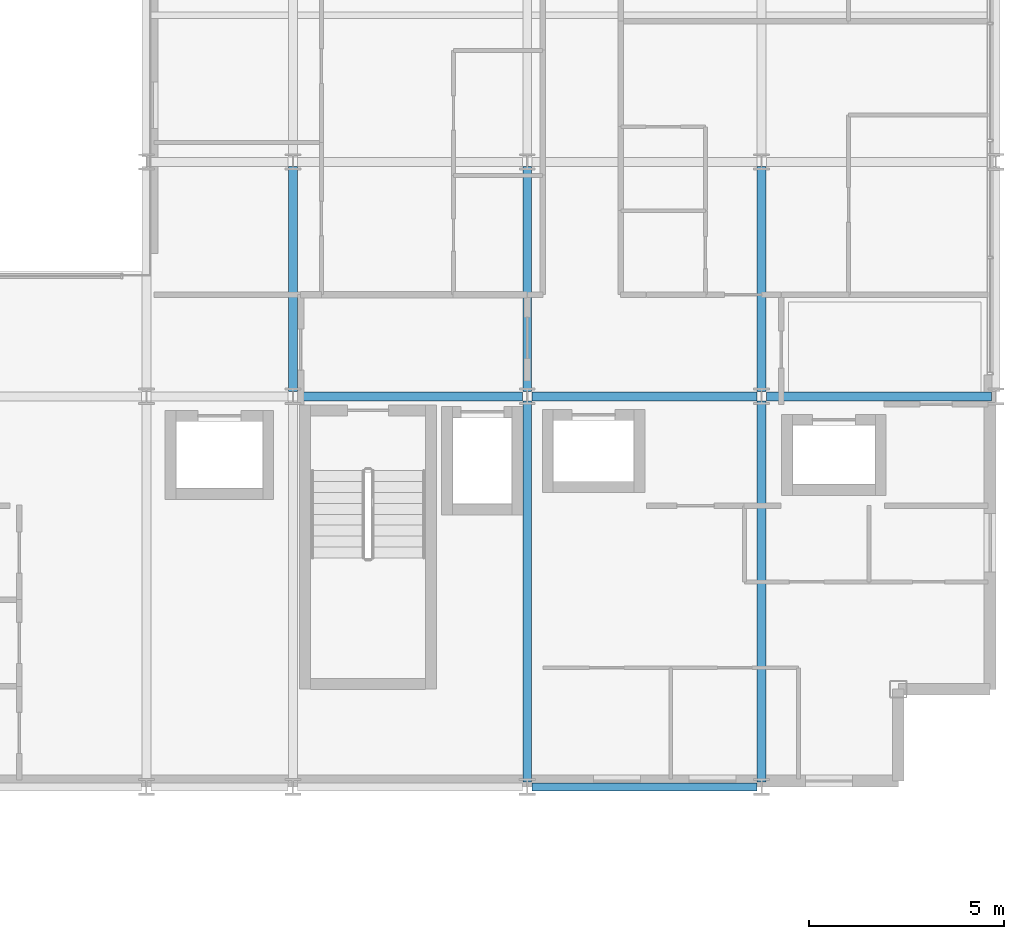
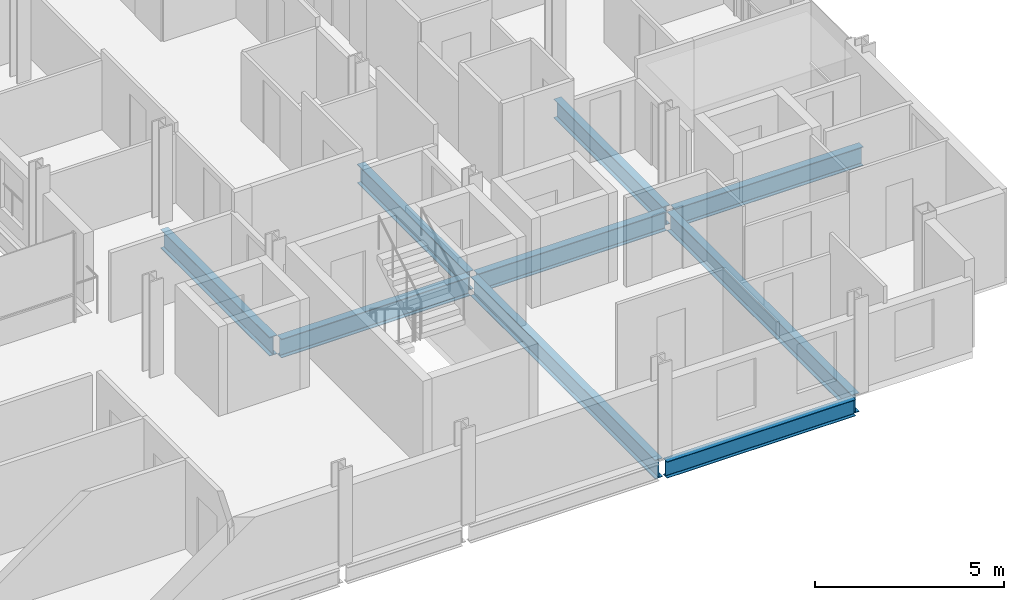
# One storey, part 14 of 41: 9 beams.
"""IFC4 building model written with IfcOpenShell, lengths in metres."""

from ifc_helpers import new_model, si_unit, direction, frame, origin, origin_2d, place, context, subcontext, project, spatial, i_section, extrude, material, material_profile, profile_set, type_object, element, save


model = new_model("IFC4")

# Units and contexts
model_context = context("Model", 3, precision=1e-05, world=origin(), true_north=direction((0.0, 1.0)))
body_context = subcontext(model_context, "Body", "Model", "MODEL_VIEW")
ifc_project = project(units=[si_unit("LENGTHUNIT", "METRE"), si_unit("AREAUNIT", "SQUARE_METRE"), si_unit("VOLUMEUNIT", "CUBIC_METRE"), si_unit("PLANEANGLEUNIT", "RADIAN"), si_unit("MASSUNIT", "GRAM", prefix="KILO")], contexts=[model_context])

# Site, building, storey
site_placement = place(None, origin())
site = spatial("IfcSite", under=ifc_project, at=site_placement, CompositionType="ELEMENT")
building_placement = place(site_placement, origin())
building = spatial("IfcBuilding", under=site, at=building_placement, Name="Brevholm Reach", CompositionType="ELEMENT")
storey_placement = place(building_placement, frame((0.0, 0.0, 112.800048828125)))
storey = spatial("IfcBuildingStorey", under=building, at=storey_placement, Name="L33", CompositionType="ELEMENT", Elevation=112.800048828125)

# Beams
ifc_material_1 = material(Name="Structural Steel S355J2", Category="steel")
ifc_material_profile_1 = material_profile(ifc_material_1, i_section(OverallWidth=0.209228515625, OverallDepth=0.533203125, WebThickness=0.010009765625, FlangeThickness=0.015625, FilletRadius=0.0126953125, at=origin_2d()), Name="UKB 533x210x92")
ifc_profile_set_1 = profile_set([ifc_material_profile_1], Name="Structural Steel S355J2")
beam_type_1 = type_object("IfcBeamType", Name="BM-SP533", PredefinedType="SPANDREL", material=ifc_profile_set_1)
beam_1_placement = place(storey_placement, frame((48.1201171875, 0.0, -0.486572265625), z_axis=(1.0, 0.0, 0.0), x_axis=(0.0, 1.0, 0.0)))
element("IfcBeam", 1, at=beam_1_placement, inside=storey, type_object=beam_type_1, Name="L33 SP-02 Framing Beam", PredefinedType="SPANDREL", context=body_context, shape_type="SweptSolid", body=[
    extrude(i_section(OverallWidth=0.209228515625, OverallDepth=0.533203125, WebThickness=0.010009765625, FlangeThickness=0.015625, FilletRadius=0.0126953125, at=origin_2d()), origin(), (0.0, 0.0, 1.0), 5.759765625),
])
ifc_material_2 = material(Name="Structural Steel S355J2", Category="steel")
ifc_material_profile_2 = material_profile(ifc_material_2, i_section(OverallWidth=0.22900390625, OverallDepth=0.6123046875, WebThickness=0.011962890625, FlangeThickness=0.01953125, FilletRadius=0.0126953125, at=origin_2d()), Name="UKB 610x229x125")
ifc_profile_set_2 = profile_set([ifc_material_profile_2], Name="Structural Steel S355J2")
beam_type_2 = type_object("IfcBeamType", Name="BM-SP610", PredefinedType="SPANDREL", material=ifc_profile_set_2)
for number, where, z_axis, x_axis, name in (
    (2, (42.1201171875, 10.0, -0.526123046875), (1.0, 0.0, 0.0), (0.0, 1.0, 0.0), "L33 SP-01 Framing Beam"),
    (3, (48.1201171875, 10.0, -0.526123046875), (1.0, 0.0, 0.0), (0.0, 1.0, 0.0), "L33 SP-01 Framing Beam"),
    (4, (54.1201171875, 10.0, -0.526123046875), (1.0, 0.0, 0.0), (0.0, 1.0, 0.0), "L33 SP-01 Framing Beam"),
    (5, (42.0, 10.1201171875, -0.526123046875), (0.0, 1.0, 0.0), (-1.0, 0.0, 0.0), "L33 SP-01 Framing Beam"),
):
    element("IfcBeam", number, at=place(storey_placement, frame(where, z_axis=z_axis, x_axis=x_axis)), inside=storey, type_object=beam_type_2, Name=name, PredefinedType="SPANDREL", context=body_context, shape_type="SweptSolid", body=[
        extrude(i_section(OverallWidth=0.22900390625, OverallDepth=0.6123046875, WebThickness=0.011962890625, FlangeThickness=0.01953125, FilletRadius=0.0126953125, at=origin_2d()), origin(), (0.0, 0.0, 1.0), 5.759765625),
    ])
beam_2_placement = place(storey_placement, frame((48.0, 0.1201171875, -0.526123046875), z_axis=(0.0, 1.0, 0.0), x_axis=(-1.0, 0.0, 0.0)))
element("IfcBeam", 6, at=beam_2_placement, inside=storey, type_object=beam_type_2, Name="L33 SP-01 Framing Beam", PredefinedType="SPANDREL", context=body_context, shape_type="SweptSolid", body=[
    extrude(i_section(OverallWidth=0.22900390625, OverallDepth=0.6123046875, WebThickness=0.011962890625, FlangeThickness=0.01953125, FilletRadius=0.0126953125, at=origin_2d()), origin(), (0.0, 0.0, 1.0), 9.759765625),
])
beam_3_placement = place(storey_placement, frame((48.0, 10.1201171875, -0.526123046875), z_axis=(0.0, 1.0, 0.0), x_axis=(-1.0, 0.0, 0.0)))
element("IfcBeam", 7, at=beam_3_placement, inside=storey, type_object=beam_type_2, Name="L33 SP-01 Framing Beam", PredefinedType="SPANDREL", context=body_context, shape_type="SweptSolid", body=[
    extrude(i_section(OverallWidth=0.22900390625, OverallDepth=0.6123046875, WebThickness=0.011962890625, FlangeThickness=0.01953125, FilletRadius=0.0126953125, at=origin_2d()), origin(), (0.0, 0.0, 1.0), 5.759765625),
])
beam_4_placement = place(storey_placement, frame((54.0, 0.1201171875, -0.526123046875), z_axis=(0.0, 1.0, 0.0), x_axis=(-1.0, 0.0, 0.0)))
element("IfcBeam", 8, at=beam_4_placement, inside=storey, type_object=beam_type_2, Name="L33 SP-01 Framing Beam", PredefinedType="SPANDREL", context=body_context, shape_type="SweptSolid", body=[
    extrude(i_section(OverallWidth=0.22900390625, OverallDepth=0.6123046875, WebThickness=0.011962890625, FlangeThickness=0.01953125, FilletRadius=0.0126953125, at=origin_2d()), origin(), (0.0, 0.0, 1.0), 9.759765625),
])
beam_5_placement = place(storey_placement, frame((54.0, 10.1201171875, -0.526123046875), z_axis=(0.0, 1.0, 0.0), x_axis=(-1.0, 0.0, 0.0)))
element("IfcBeam", 9, at=beam_5_placement, inside=storey, type_object=beam_type_2, Name="L33 SP-01 Framing Beam", PredefinedType="SPANDREL", context=body_context, shape_type="SweptSolid", body=[
    extrude(i_section(OverallWidth=0.22900390625, OverallDepth=0.6123046875, WebThickness=0.011962890625, FlangeThickness=0.01953125, FilletRadius=0.0126953125, at=origin_2d()), origin(), (0.0, 0.0, 1.0), 5.759765625),
])

save(model, "model.ifc")
